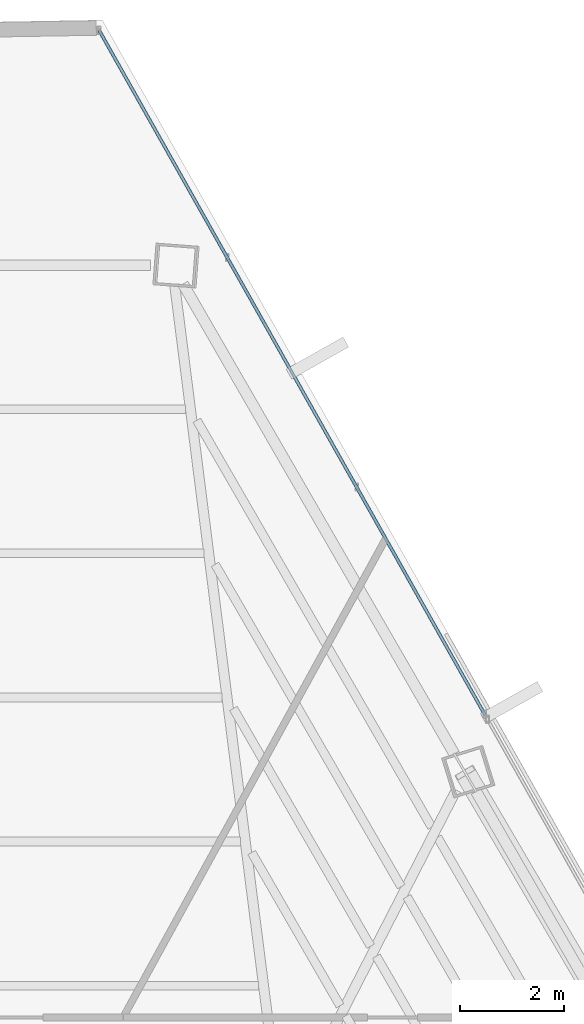
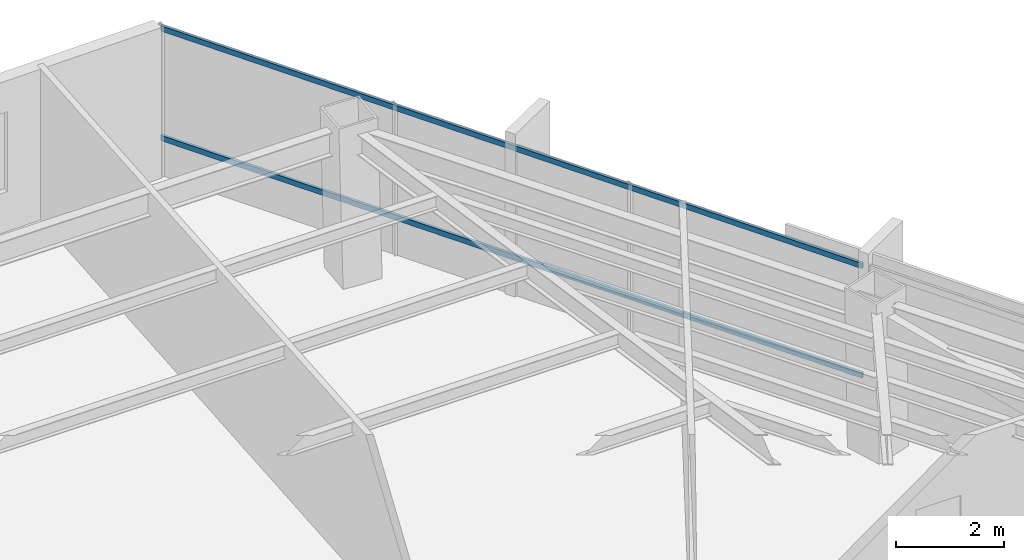
# One storey, part 31 of 42: 2 members, 1 element without a shape of its own.
"""IFC4 building model written with IfcOpenShell, lengths in metres."""

import ifcopenshell
import ifcopenshell.guid

model = None  # the IFC model being written
_history = None  # IfcOwnerHistory: only IFC2X3 demands one
_inside = {}  # id of a spatial element -> (the spatial element, [elements in it])
_under = {}  # id of a project, library or spatial element -> (it, [spatial elements below it])
_declared = {}  # id of a project -> (the project, [libraries it declares])
_typed = {}  # id of a type object -> (the type object, [elements of that type])
_made_of = {}  # id of a material, layer set ... -> (it, [elements and type objects made of it])


def new_model(schema):
    """Start an empty IFC model of exactly this schema.

    Asked for "IFC4X3", IfcOpenShell would pick the latest addendum, in which some entities
    have other attributes; the version numbers below select the first issue.
    IFC2X3 requires an IfcOwnerHistory on every rooted entity: one is made here for all.
    """
    global model, _history
    if schema == "IFC4X3":
        model = ifcopenshell.file(schema_version=(4, 3, 0, 0))
    else:
        model = ifcopenshell.file(schema=schema)
    _inside.clear()
    _under.clear()
    _declared.clear()
    _typed.clear()
    _made_of.clear()
    _history = None
    if model.schema == "IFC2X3":
        org = make("IfcOrganization", Name="unknown")
        user = make(
            "IfcPersonAndOrganization",
            ThePerson=make("IfcPerson", FamilyName="unknown"),
            TheOrganization=org,
        )
        app = make(
            "IfcApplication",
            ApplicationDeveloper=org,
            Version="unknown",
            ApplicationFullName="unknown",
            ApplicationIdentifier="unknown",
        )
        _history = make(
            "IfcOwnerHistory",
            OwningUser=user,
            OwningApplication=app,
            ChangeAction="ADDED",
            CreationDate=0,
        )
    return model


def make(cls, **values):
    """One entity of the class cls with the attributes given. An attribute that is None is left unset."""
    return model.create_entity(
        cls, **{name: value for name, value in values.items() if value is not None}
    )


def rooted(cls, **values):
    """An entity with a GlobalId (a new one), such as an element, a storey or a relation."""
    return make(cls, GlobalId=ifcopenshell.guid.new(), OwnerHistory=_history, **values)


def si_unit(unit_type, name, prefix=None):
    """IfcSIUnit, for example si_unit("LENGTHUNIT", "METRE", prefix="MILLI")."""
    return make("IfcSIUnit", UnitType=unit_type, Prefix=prefix, Name=name)


def assignment(units):
    """IfcUnitAssignment: the units of a project."""
    return None if units is None else make("IfcUnitAssignment", Units=units)


def point(xyz):
    """IfcCartesianPoint."""
    return None if xyz is None else make("IfcCartesianPoint", Coordinates=xyz)


def direction(xyz):
    """IfcDirection."""
    return None if xyz is None else make("IfcDirection", DirectionRatios=xyz)


def frame(location, z_axis=None, x_axis=None):
    """IfcAxis2Placement3D, a coordinate frame: its origin and axes. An axis left out is left unset."""
    return make(
        "IfcAxis2Placement3D",
        Location=point(location),
        Axis=direction(z_axis),
        RefDirection=direction(x_axis),
    )


def frame_2d(location, x_axis=None):
    """IfcAxis2Placement2D, a coordinate frame in the plane: its origin and x axis."""
    return make(
        "IfcAxis2Placement2D", Location=point(location), RefDirection=direction(x_axis)
    )


def origin():
    """The frame at (0, 0, 0) with its axes left unset."""
    return frame((0.0, 0.0, 0.0))


def origin_2d():
    """The frame at (0, 0) in the plane with its x axis left unset."""
    return frame_2d((0.0, 0.0))


def place(relative_to, where):
    """IfcLocalPlacement: puts the frame where relative to a parent placement (None: the world)."""
    return make(
        "IfcLocalPlacement", PlacementRelTo=relative_to, RelativePlacement=where
    )


def context(
    kind, dimensions, precision=None, world=None, true_north=None, identifier=None
):
    """IfcGeometricRepresentationContext, for example the 3D "Model" context."""
    return make(
        "IfcGeometricRepresentationContext",
        ContextIdentifier=identifier,
        ContextType=kind,
        CoordinateSpaceDimension=dimensions,
        Precision=precision,
        WorldCoordinateSystem=world,
        TrueNorth=true_north,
    )


def subcontext(parent, identifier, kind, view, scale=None):
    """IfcGeometricRepresentationSubContext, for example "Body" below "Model"."""
    return make(
        "IfcGeometricRepresentationSubContext",
        ContextIdentifier=identifier,
        ContextType=kind,
        ParentContext=parent,
        TargetScale=scale,
        TargetView=view,
    )


def project(units=None, contexts=None):
    """IfcProject with its units and contexts."""
    return rooted(
        "IfcProject",
        Name="project",
        RepresentationContexts=contexts,
        UnitsInContext=assignment(units),
    )


def spatial(cls, under=None, at=None, **own):
    """A site, building, storey or space (cls), placed at a placement, below another one or the project."""
    s = rooted(cls, ObjectPlacement=at, **own)
    if under is not None:
        _under.setdefault(under.id(), (under, []))[1].append(s)
    return s


def profile(cls, at=None, kind="AREA", **sizes):
    """A parametric profile (cls). Its sizes go by their IFC names, for example OverallWidth=200.0."""
    return make(cls, ProfileType=kind, Position=at, **sizes)


def hollow_rectangle(**sizes):
    """IfcRectangleHollowProfileDef."""
    return profile("IfcRectangleHollowProfileDef", **sizes)


def extrude(swept, where, along, depth):
    """IfcExtrudedAreaSolid: the profile swept, set in the frame where, extruded along a direction by depth."""
    return make(
        "IfcExtrudedAreaSolid",
        SweptArea=swept,
        Position=where,
        ExtrudedDirection=direction(along),
        Depth=depth,
    )


def shape(context_of_items, identifier, shape_type, items):
    """IfcShapeRepresentation: the items that make up one representation, for example the "Body"."""
    return make(
        "IfcShapeRepresentation",
        ContextOfItems=context_of_items,
        RepresentationIdentifier=identifier,
        RepresentationType=shape_type,
        Items=items,
    )


def source(mapping_origin, context_of_items, identifier, shape_type, items):
    """IfcRepresentationMap: a shape defined once, which mapped items show again and again."""
    return make(
        "IfcRepresentationMap",
        MappingOrigin=mapping_origin,
        MappedRepresentation=shape(context_of_items, identifier, shape_type, items),
    )


def transform(
    local_origin,
    x_axis=None,
    y_axis=None,
    z_axis=None,
    scale=None,
    scale2=None,
    scale3=None,
    uniform=True,
):
    """IfcCartesianTransformationOperator3D, or its non-uniform kind. x_axis, y_axis, z_axis: its Axis1, 2, 3."""
    if uniform:
        return make(
            "IfcCartesianTransformationOperator3D",
            Axis1=direction(x_axis),
            Axis2=direction(y_axis),
            LocalOrigin=point(local_origin),
            Scale=scale,
            Axis3=direction(z_axis),
        )
    return make(
        "IfcCartesianTransformationOperator3DnonUniform",
        Axis1=direction(x_axis),
        Axis2=direction(y_axis),
        LocalOrigin=point(local_origin),
        Scale=scale,
        Axis3=direction(z_axis),
        Scale2=scale2,
        Scale3=scale3,
    )


def mapped(mapping_source, mapping_target):
    """IfcMappedItem: shows the shape of a source again, moved by a transform."""
    return make(
        "IfcMappedItem", MappingSource=mapping_source, MappingTarget=mapping_target
    )


def material(Name=None, Category=None):
    """IfcMaterial."""
    return make("IfcMaterial", Name=Name, Category=Category)


def material_profile(
    of_material, cross_section, Name=None, Category=None, Priority=None
):
    """IfcMaterialProfile: a cross section and its material."""
    return make(
        "IfcMaterialProfile",
        Name=Name,
        Material=of_material,
        Profile=cross_section,
        Priority=Priority,
        Category=Category,
    )


def profile_set(profiles, Name=None, composite=None):
    """IfcMaterialProfileSet."""
    return make(
        "IfcMaterialProfileSet",
        Name=Name,
        MaterialProfiles=profiles,
        CompositeProfile=composite,
    )


def made_of(thing, what):
    """Note that an element or type object is made of a material, layer set ...; save() writes the relation."""
    if what is not None:
        _made_of.setdefault(what.id(), (what, []))[1].append(thing)
    return thing


def type_object(cls, material=None, **own):
    """A type object (cls), such as IfcWallType, which elements share."""
    return made_of(rooted(cls, **own), material)


def type_shapes(of_type, sources):
    """Give a type object the sources (RepresentationMaps) that its elements show as mapped items."""
    of_type.RepresentationMaps = sources


def element(
    cls,
    number,
    at=None,
    inside=None,
    cuts=None,
    type_object=None,
    material=None,
    context=None,
    identifier="Body",
    shape_type=None,
    held_by="IfcProductDefinitionShape",
    body=None,
    shapes=None,
    **own,
):
    """One element of the class cls, such as IfcWall. Its Tag is "e" and its number.

    at: its placement. inside: the storey or other place that contains it. cuts: it is an
    opening in that element (IfcRelVoidsElement). A single representation is given by context,
    identifier, shape_type and body (its items); several are given by shapes. held_by: the class
    of the entity that holds the representations. save() writes the other relations.
    """
    e = rooted(cls, Tag="e%d" % number, ObjectPlacement=at, **own)
    if body is not None:
        shapes = [shape(context, identifier, shape_type, body)]
    if shapes is not None:
        e.Representation = make(held_by, Representations=shapes)
    if inside is not None:
        _inside.setdefault(inside.id(), (inside, []))[1].append(e)
    if cuts is not None:
        rooted(
            "IfcRelVoidsElement", RelatingBuildingElement=cuts, RelatedOpeningElement=e
        )
    if type_object is not None:
        _typed.setdefault(type_object.id(), (type_object, []))[1].append(e)
    return made_of(e, material)


def aggregate(whole, parts):
    """IfcRelAggregates: a whole, such as a stair, and the parts it consists of."""
    return rooted("IfcRelAggregates", RelatingObject=whole, RelatedObjects=parts)


def save(model, path):
    """Write the relations noted so far, then the file.

    IfcRelAggregates (storeys below a building ...), IfcRelContainedInSpatialStructure (elements
    in a storey), IfcRelDefinesByType, IfcRelAssociatesMaterial and IfcRelDeclares: one each for
    every whole, place, type object, material and project.
    """
    for whole, parts in _under.values():
        aggregate(whole, parts)
    for where, things in _inside.values():
        rooted(
            "IfcRelContainedInSpatialStructure",
            RelatedElements=things,
            RelatingStructure=where,
        )
    for kind, things in _typed.values():
        rooted("IfcRelDefinesByType", RelatedObjects=things, RelatingType=kind)
    for what, things in _made_of.values():
        rooted("IfcRelAssociatesMaterial", RelatedObjects=things, RelatingMaterial=what)
    for by, libraries in _declared.values():
        rooted("IfcRelDeclares", RelatingContext=by, RelatedDefinitions=libraries)
    model.write(path)


model = new_model("IFC4")

# Units and contexts
model_context = context("Model", 3, precision=1e-05, world=origin(), true_north=direction((0.0, 1.0)))
body_context = subcontext(model_context, "Body", "Model", "MODEL_VIEW")
ifc_project = project(units=[si_unit("LENGTHUNIT", "METRE"), si_unit("AREAUNIT", "SQUARE_METRE"), si_unit("VOLUMEUNIT", "CUBIC_METRE"), si_unit("PLANEANGLEUNIT", "RADIAN"), si_unit("MASSUNIT", "GRAM", prefix="KILO")], contexts=[model_context])

# Site, building, storey
site_placement = place(None, origin())
site = spatial("IfcSite", under=ifc_project, at=site_placement, CompositionType="ELEMENT")
building_placement = place(site_placement, origin())
building = spatial("IfcBuilding", under=site, at=building_placement, Name="Caelisora Broadcast Tower", CompositionType="ELEMENT")
storey_placement = place(building_placement, frame((0.0, 0.0, 187.699951171875)))
storey = spatial("IfcBuildingStorey", under=building, at=storey_placement, Name="L49", CompositionType="ELEMENT", Elevation=187.699951171875)

# Curtain wall, members
ifc_material_1 = material(Name="Unitised Aluminium and Low-E Glass Curtain Wall", Category="glass")
curtain_wall_type = type_object("IfcCurtainWallType", Name="CW-Z4", PredefinedType="NOTDEFINED", material=ifc_material_1)
curtain_wall_placement = place(storey_placement, origin())
curtain_wall = element("IfcCurtainWall", 1, at=curtain_wall_placement, inside=storey, type_object=curtain_wall_type, Name="L49 curtain wall CW-Z4", PredefinedType="NOTDEFINED")
ifc_material_2 = material(Name="Aluminium 6063-T6 Anodised Terracotta Bronze", Category="aluminium")
ifc_material_profile = material_profile(ifc_material_2, hollow_rectangle(XDim=0.06005859375, YDim=0.1201171875, WallThickness=0.0029296875, at=origin_2d()), Name="Aluminium 6063-T6 Anodised Terracotta Bronze")
ifc_profile_set = profile_set([ifc_material_profile], Name="Aluminium 6063-T6 Anodised Terracotta Bronze")
member_type = type_object("IfcMemberType", Name="CWT-03", PredefinedType="USERDEFINED", material=ifc_profile_set)
shared_shape = source(origin(), body_context, "Body", "SweptSolid", [
    extrude(hollow_rectangle(XDim=0.06005859375, YDim=0.1201171875, WallThickness=0.0029296875, at=origin_2d()), origin(), (0.0, 0.0, 1.0), 15.04541015625),
])
type_shapes(member_type, [shared_shape])
member_1_placement = place(storey_placement, frame((41.99853515625, 51.0625, 0.85009765625), z_axis=(0.491059186879, -0.871126210707, 0.0), x_axis=(0.871126210707, 0.491059186879, 0.0)))
member_1 = element("IfcMember", 2, at=member_1_placement, type_object=member_type, Name="L49-CW-B01 transom #1", ObjectType="TRANSOM", PredefinedType="USERDEFINED", context=body_context, shape_type="MappedRepresentation", body=[
    mapped(shared_shape, transform((0.0, 0.0, 0.0), scale=1.0)),
])
member_2_placement = place(storey_placement, frame((41.99853515625, 51.0625, 3.320068359375), z_axis=(0.491059186879, -0.871126210707, 0.0), x_axis=(0.871126210707, 0.491059186879, 0.0)))
member_2 = element("IfcMember", 3, at=member_2_placement, type_object=member_type, Name="L49-CW-B01 transom #2", ObjectType="TRANSOM", PredefinedType="USERDEFINED", context=body_context, shape_type="MappedRepresentation", body=[
    mapped(shared_shape, transform((0.0, 0.0, 0.0), scale=1.0)),
])
aggregate(curtain_wall, [member_1, member_2])

save(model, "model.ifc")
